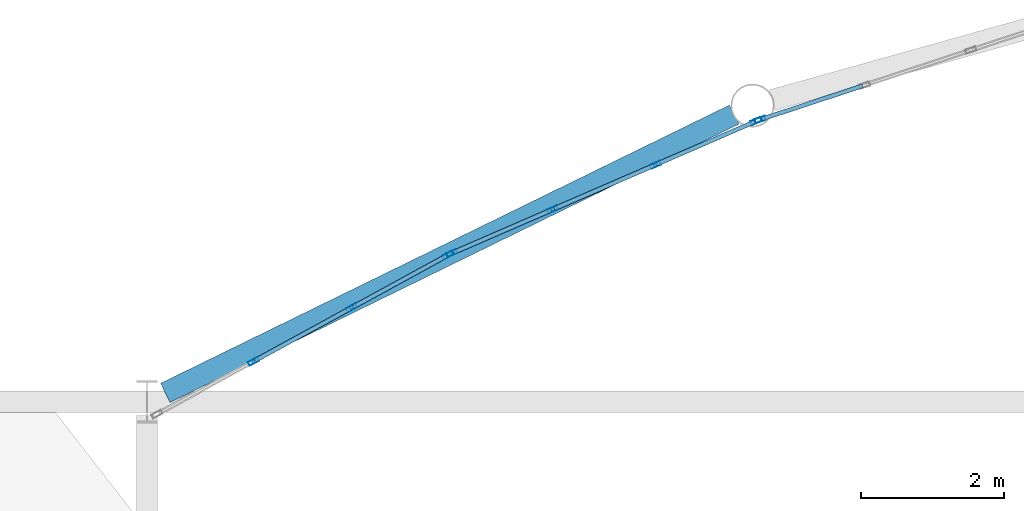
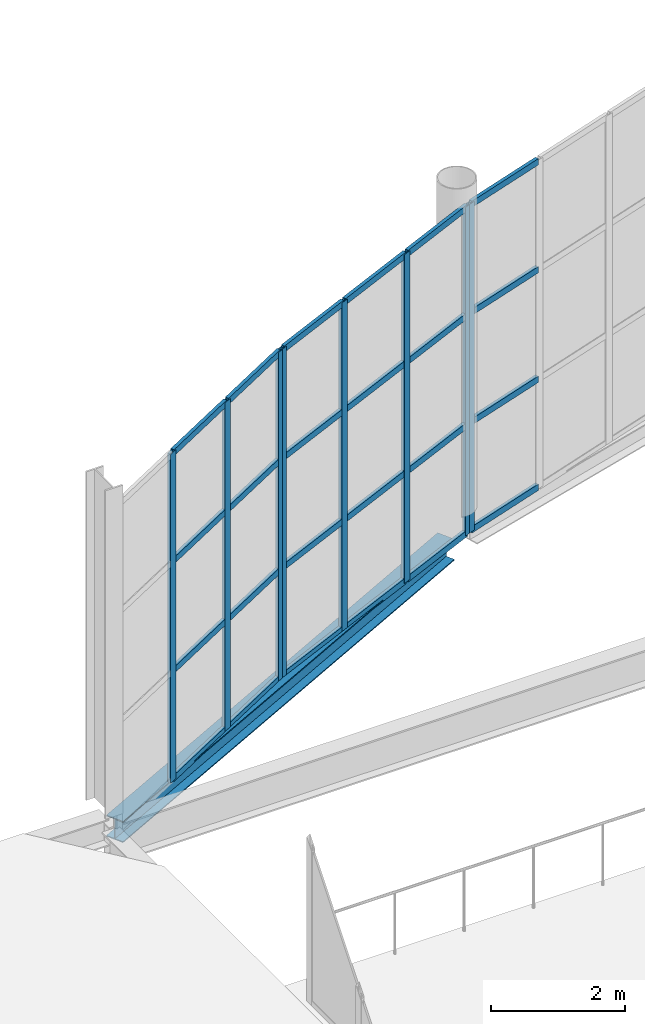
# One storey, part 100 of 191: 32 members, 1 beam, 3 elements without a shape of their own.
"""IFC4 building model written with IfcOpenShell, lengths in metres."""

from ifc_helpers import new_model, si_unit, direction, frame, origin, origin_2d, place, context, subcontext, project, spatial, hollow_rectangle, i_section, extrude, material, layer, layer_set, material_profile, profile_set, type_object, element, aggregate, save


model = new_model("IFC4")

# Units and contexts
model_context = context("Model", 3, precision=1e-05, world=origin(), true_north=direction((0.0, 1.0)))
body_context = subcontext(model_context, "Body", "Model", "MODEL_VIEW")
ifc_project = project(units=[si_unit("LENGTHUNIT", "METRE"), si_unit("AREAUNIT", "SQUARE_METRE"), si_unit("VOLUMEUNIT", "CUBIC_METRE"), si_unit("PLANEANGLEUNIT", "RADIAN"), si_unit("MASSUNIT", "GRAM", prefix="KILO")], contexts=[model_context])

# Site, building, storey
site_placement = place(None, origin())
site = spatial("IfcSite", under=ifc_project, at=site_placement, CompositionType="ELEMENT")
building_placement = place(site_placement, origin())
building = spatial("IfcBuilding", under=site, at=building_placement, Name="Tamarisk Ironworks Central Station", CompositionType="ELEMENT")
storey_placement = place(building_placement, frame((0.0, 0.0, 6.60009765625)))
storey = spatial("IfcBuildingStorey", under=building, at=storey_placement, Name="L01", CompositionType="ELEMENT", Elevation=6.60009765625)

# Beam
ifc_material_1 = material(Name="Structural steel S355J2", Category="steel")
ifc_material_profile_1 = material_profile(ifc_material_1, i_section(OverallWidth=0.300048828125, OverallDepth=0.389892578125, WebThickness=0.010986328125, FlangeThickness=0.01904296875, at=origin_2d()), Name="HEA 400")
ifc_profile_set_1 = profile_set([ifc_material_profile_1], Name="Structural steel S355J2")
beam_type = type_object("IfcBeamType", Name="BM-G07", PredefinedType="BEAM", material=ifc_profile_set_1)
beam_placement = place(storey_placement, frame((54.256103515625, 111.72509765625, -0.5751953125), z_axis=(0.898270064187, 0.439443843723, 0.0), x_axis=(-0.439443843723, 0.898270064187, 0.0)))
element("IfcBeam", 1, at=beam_placement, inside=storey, type_object=beam_type, Name="NN rounded nose L01 chord girder 025", PredefinedType="BEAM", context=body_context, shape_type="SweptSolid", body=[
    extrude(i_section(OverallWidth=0.300048828125, OverallDepth=0.389892578125, WebThickness=0.010986328125, FlangeThickness=0.01904296875, at=origin_2d()), origin(), (0.0, 0.0, 1.0), 8.880126953125),
])

# Curtain wall, members
ifc_material_2 = material(Name="Anodized aluminium alloy 6063-T6", Category="aluminium")
ifc_layer = layer(ifc_material_2, 0.179931640625)
ifc_layer_set = layer_set([ifc_layer], Name="Anodized aluminium alloy 6063-T6")
curtain_wall_type = type_object("IfcCurtainWallType", Name="CW-02", PredefinedType="USERDEFINED", material=ifc_layer_set)
curtain_wall_1_placement = place(storey_placement, origin())
curtain_wall_1 = element("IfcCurtainWall", 2, at=curtain_wall_1_placement, inside=storey, type_object=curtain_wall_type, Name="NN rounded entrance hall L01 curtain wall bay 01", ObjectType="GLAZED CURTAIN WALL", PredefinedType="USERDEFINED")
ifc_material_profile_2 = material_profile(ifc_material_2, hollow_rectangle(XDim=0.06005859375, YDim=0.14990234375, WallThickness=0.00341796875, at=origin_2d()), Name="ALUM 150x60")
ifc_profile_set_2 = profile_set([ifc_material_profile_2], Name="Anodized aluminium alloy 6063-T6")
member_type_1 = type_object("IfcMemberType", Name="CWM-03", PredefinedType="MULLION", material=ifc_profile_set_2)
member_1_placement = place(storey_placement, frame((55.4931640625, 112.166015625, -0.385009765625), z_axis=(0.0, 0.0, 1.0), x_axis=(-0.47980544644, 0.877374910495, 0.0)))
member_1 = element("IfcMember", 3, at=member_1_placement, type_object=member_type_1, Name="CW02 mullion 2", PredefinedType="MULLION", context=body_context, shape_type="SweptSolid", body=[
    extrude(hollow_rectangle(XDim=0.06005859375, YDim=0.14990234375, WallThickness=0.00341796875, at=origin_2d()), origin(), (0.0, 0.0, 1.0), 6.0048828125),
])
member_2_placement = place(storey_placement, frame((56.870361328125, 112.91943359375, -0.385009765625), z_axis=(0.0, 0.0, 1.0), x_axis=(-0.47980544644, 0.877374910495, 0.0)))
member_2 = element("IfcMember", 4, at=member_2_placement, type_object=member_type_1, Name="CW02 mullion 3", PredefinedType="MULLION", context=body_context, shape_type="SweptSolid", body=[
    extrude(hollow_rectangle(XDim=0.06005859375, YDim=0.14990234375, WallThickness=0.00341796875, at=origin_2d()), origin(), (0.0, 0.0, 1.0), 6.0048828125),
])
member_3_placement = place(storey_placement, frame((58.221435546875, 113.658203125, -0.385009765625), z_axis=(0.0, 0.0, 1.0), x_axis=(-0.47980544644, 0.877374910495, 0.0)))
member_3 = element("IfcMember", 5, at=member_3_placement, type_object=member_type_1, Name="CW02 mullion 4", PredefinedType="MULLION", context=body_context, shape_type="SweptSolid", body=[
    extrude(hollow_rectangle(XDim=0.06005859375, YDim=0.14990234375, WallThickness=0.00341796875, at=origin_2d()), origin(), (0.0, 0.0, 1.0), 6.0048828125),
])

curtain_wall_2_placement = place(storey_placement, origin())
curtain_wall_2 = element("IfcCurtainWall", 6, at=curtain_wall_2_placement, inside=storey, type_object=curtain_wall_type, Name="NN rounded entrance hall L01 curtain wall bay 02", ObjectType="GLAZED CURTAIN WALL", PredefinedType="USERDEFINED")
member_4_placement = place(storey_placement, frame((58.275390625, 113.6845703125, -0.385009765625), z_axis=(0.0, 0.0, 1.0), x_axis=(-0.398076935564, 0.917352033503, 0.0)))
member_4 = element("IfcMember", 7, at=member_4_placement, type_object=member_type_1, Name="CW02 mullion 1", PredefinedType="MULLION", context=body_context, shape_type="SweptSolid", body=[
    extrude(hollow_rectangle(XDim=0.06005859375, YDim=0.14990234375, WallThickness=0.00341796875, at=origin_2d()), origin(), (0.0, 0.0, 1.0), 6.0048828125),
])
member_5_placement = place(storey_placement, frame((59.68798828125, 114.297607421875, -0.385009765625), z_axis=(0.0, 0.0, 1.0), x_axis=(-0.398076935564, 0.917352033503, 0.0)))
member_5 = element("IfcMember", 8, at=member_5_placement, type_object=member_type_1, Name="CW02 mullion 2", PredefinedType="MULLION", context=body_context, shape_type="SweptSolid", body=[
    extrude(hollow_rectangle(XDim=0.06005859375, YDim=0.14990234375, WallThickness=0.00341796875, at=origin_2d()), origin(), (0.0, 0.0, 1.0), 6.0048828125),
])
member_6_placement = place(storey_placement, frame((61.128173828125, 114.92236328125, -0.385009765625), z_axis=(0.0, 0.0, 1.0), x_axis=(-0.398076935564, 0.917352033503, 0.0)))
member_6 = element("IfcMember", 9, at=member_6_placement, type_object=member_type_1, Name="CW02 mullion 3", PredefinedType="MULLION", context=body_context, shape_type="SweptSolid", body=[
    extrude(hollow_rectangle(XDim=0.06005859375, YDim=0.14990234375, WallThickness=0.00341796875, at=origin_2d()), origin(), (0.0, 0.0, 1.0), 6.0048828125),
])
member_7_placement = place(storey_placement, frame((62.540771484375, 115.535400390625, -0.385009765625), z_axis=(0.0, 0.0, 1.0), x_axis=(-0.398076935564, 0.917352033503, 0.0)))
member_7 = element("IfcMember", 10, at=member_7_placement, type_object=member_type_1, Name="CW02 mullion 4", PredefinedType="MULLION", context=body_context, shape_type="SweptSolid", body=[
    extrude(hollow_rectangle(XDim=0.06005859375, YDim=0.14990234375, WallThickness=0.00341796875, at=origin_2d()), origin(), (0.0, 0.0, 1.0), 6.0048828125),
])

# Curtain wall, member
curtain_wall_3_placement = place(storey_placement, origin())
curtain_wall_3 = element("IfcCurtainWall", 11, at=curtain_wall_3_placement, inside=storey, type_object=curtain_wall_type, Name="NN rounded entrance hall L01 curtain wall bay 03", ObjectType="GLAZED CURTAIN WALL", PredefinedType="USERDEFINED")
member_8_placement = place(storey_placement, frame((62.5966796875, 115.556884765625, -0.385009765625), z_axis=(0.0, 0.0, 1.0), x_axis=(-0.313098460171, 0.949720671692, 0.0)))
member_8 = element("IfcMember", 12, at=member_8_placement, type_object=member_type_1, Name="CW02 mullion 1", PredefinedType="MULLION", context=body_context, shape_type="SweptSolid", body=[
    extrude(hollow_rectangle(XDim=0.06005859375, YDim=0.14990234375, WallThickness=0.00341796875, at=origin_2d()), origin(), (0.0, 0.0, 1.0), 6.0048828125),
])

# Member
ifc_material_profile_3 = material_profile(ifc_material_2, hollow_rectangle(XDim=0.06005859375, YDim=0.114990234375, WallThickness=0.00341796875, at=origin_2d()), Name="ALUM 115x60")
ifc_profile_set_3 = profile_set([ifc_material_profile_3], Name="Anodized aluminium alloy 6063-T6")
member_type_2 = type_object("IfcMemberType", Name="CWT-03", PredefinedType="USERDEFINED", material=ifc_profile_set_3)
member_9_placement = place(storey_placement, frame((55.515869140625, 112.1787109375, -0.35498046875), z_axis=(0.877384892702, 0.479787192471, 0.0), x_axis=(-0.479787192471, 0.877384892702, 0.0)))
member_9 = element("IfcMember", 13, at=member_9_placement, type_object=member_type_2, Name="CW02 transom 2.1", ObjectType="TRANSOM", PredefinedType="USERDEFINED", context=body_context, shape_type="SweptSolid", body=[
    extrude(hollow_rectangle(XDim=0.06005859375, YDim=0.114990234375, WallThickness=0.00341796875, at=origin_2d()), origin(), (0.0, 0.0, 1.0), 1.517822265625),
])

member_10_placement = place(storey_placement, frame((55.515869140625, 112.1787109375, 1.61669921875), z_axis=(0.877384892702, 0.479787192471, 0.0), x_axis=(-0.479787192471, 0.877384892702, 0.0)))
member_10 = element("IfcMember", 14, at=member_10_placement, type_object=member_type_2, Name="CW02 transom 2.2", ObjectType="TRANSOM", PredefinedType="USERDEFINED", context=body_context, shape_type="SweptSolid", body=[
    extrude(hollow_rectangle(XDim=0.06005859375, YDim=0.114990234375, WallThickness=0.00341796875, at=origin_2d()), origin(), (0.0, 0.0, 1.0), 1.517822265625),
])

member_11_placement = place(storey_placement, frame((55.515869140625, 112.1787109375, 3.6181640625), z_axis=(0.877384892702, 0.479787192471, 0.0), x_axis=(-0.479787192471, 0.877384892702, 0.0)))
member_11 = element("IfcMember", 15, at=member_11_placement, type_object=member_type_2, Name="CW02 transom 2.3", ObjectType="TRANSOM", PredefinedType="USERDEFINED", context=body_context, shape_type="SweptSolid", body=[
    extrude(hollow_rectangle(XDim=0.06005859375, YDim=0.114990234375, WallThickness=0.00341796875, at=origin_2d()), origin(), (0.0, 0.0, 1.0), 1.517822265625),
])

member_12_placement = place(storey_placement, frame((55.515869140625, 112.1787109375, 5.58984375), z_axis=(0.877384892702, 0.479787192471, 0.0), x_axis=(-0.479787192471, 0.877384892702, 0.0)))
member_12 = element("IfcMember", 16, at=member_12_placement, type_object=member_type_2, Name="CW02 transom 2.4", ObjectType="TRANSOM", PredefinedType="USERDEFINED", context=body_context, shape_type="SweptSolid", body=[
    extrude(hollow_rectangle(XDim=0.06005859375, YDim=0.114990234375, WallThickness=0.00341796875, at=origin_2d()), origin(), (0.0, 0.0, 1.0), 1.517822265625),
])

member_13_placement = place(storey_placement, frame((56.893310546875, 112.931884765625, -0.35498046875), z_axis=(0.877380853309, 0.479794579217, 0.0), x_axis=(-0.479794579217, 0.877380853309, 0.0)))
member_13 = element("IfcMember", 17, at=member_13_placement, type_object=member_type_2, Name="CW02 transom 3.1", ObjectType="TRANSOM", PredefinedType="USERDEFINED", context=body_context, shape_type="SweptSolid", body=[
    extrude(hollow_rectangle(XDim=0.06005859375, YDim=0.114990234375, WallThickness=0.00341796875, at=origin_2d()), origin(), (0.0, 0.0, 1.0), 1.48779296875),
])

member_14_placement = place(storey_placement, frame((56.893310546875, 112.931884765625, 1.61669921875), z_axis=(0.877380853309, 0.479794579217, 0.0), x_axis=(-0.479794579217, 0.877380853309, 0.0)))
member_14 = element("IfcMember", 18, at=member_14_placement, type_object=member_type_2, Name="CW02 transom 3.2", ObjectType="TRANSOM", PredefinedType="USERDEFINED", context=body_context, shape_type="SweptSolid", body=[
    extrude(hollow_rectangle(XDim=0.06005859375, YDim=0.114990234375, WallThickness=0.00341796875, at=origin_2d()), origin(), (0.0, 0.0, 1.0), 1.48779296875),
])

member_15_placement = place(storey_placement, frame((56.893310546875, 112.931884765625, 3.6181640625), z_axis=(0.877380853309, 0.479794579217, 0.0), x_axis=(-0.479794579217, 0.877380853309, 0.0)))
member_15 = element("IfcMember", 19, at=member_15_placement, type_object=member_type_2, Name="CW02 transom 3.3", ObjectType="TRANSOM", PredefinedType="USERDEFINED", context=body_context, shape_type="SweptSolid", body=[
    extrude(hollow_rectangle(XDim=0.06005859375, YDim=0.114990234375, WallThickness=0.00341796875, at=origin_2d()), origin(), (0.0, 0.0, 1.0), 1.48779296875),
])

member_16_placement = place(storey_placement, frame((56.893310546875, 112.931884765625, 5.58984375), z_axis=(0.877380853309, 0.479794579217, 0.0), x_axis=(-0.479794579217, 0.877380853309, 0.0)))
member_16 = element("IfcMember", 20, at=member_16_placement, type_object=member_type_2, Name="CW02 transom 3.4", ObjectType="TRANSOM", PredefinedType="USERDEFINED", context=body_context, shape_type="SweptSolid", body=[
    extrude(hollow_rectangle(XDim=0.06005859375, YDim=0.114990234375, WallThickness=0.00341796875, at=origin_2d()), origin(), (0.0, 0.0, 1.0), 1.48779296875),
])

aggregate(curtain_wall_1, [member_1, member_2, member_3, member_9, member_10, member_11, member_12, member_13, member_14, member_15, member_16])

member_17_placement = place(storey_placement, frame((58.299072265625, 113.69482421875, -0.35498046875), z_axis=(0.91736196863, 0.398054039688, 0.0), x_axis=(-0.398054039688, 0.91736196863, 0.0)))
member_17 = element("IfcMember", 21, at=member_17_placement, type_object=member_type_2, Name="CW02 transom 1.1", ObjectType="TRANSOM", PredefinedType="USERDEFINED", context=body_context, shape_type="SweptSolid", body=[
    extrude(hollow_rectangle(XDim=0.06005859375, YDim=0.114990234375, WallThickness=0.00341796875, at=origin_2d()), origin(), (0.0, 0.0, 1.0), 1.488037109375),
])

member_18_placement = place(storey_placement, frame((58.299072265625, 113.69482421875, 1.61669921875), z_axis=(0.91736196863, 0.398054039688, 0.0), x_axis=(-0.398054039688, 0.91736196863, 0.0)))
member_18 = element("IfcMember", 22, at=member_18_placement, type_object=member_type_2, Name="CW02 transom 1.2", ObjectType="TRANSOM", PredefinedType="USERDEFINED", context=body_context, shape_type="SweptSolid", body=[
    extrude(hollow_rectangle(XDim=0.06005859375, YDim=0.114990234375, WallThickness=0.00341796875, at=origin_2d()), origin(), (0.0, 0.0, 1.0), 1.488037109375),
])

member_19_placement = place(storey_placement, frame((58.299072265625, 113.69482421875, 3.6181640625), z_axis=(0.91736196863, 0.398054039688, 0.0), x_axis=(-0.398054039688, 0.91736196863, 0.0)))
member_19 = element("IfcMember", 23, at=member_19_placement, type_object=member_type_2, Name="CW02 transom 1.3", ObjectType="TRANSOM", PredefinedType="USERDEFINED", context=body_context, shape_type="SweptSolid", body=[
    extrude(hollow_rectangle(XDim=0.06005859375, YDim=0.114990234375, WallThickness=0.00341796875, at=origin_2d()), origin(), (0.0, 0.0, 1.0), 1.488037109375),
])

member_20_placement = place(storey_placement, frame((58.299072265625, 113.69482421875, 5.58984375), z_axis=(0.91736196863, 0.398054039688, 0.0), x_axis=(-0.398054039688, 0.91736196863, 0.0)))
member_20 = element("IfcMember", 24, at=member_20_placement, type_object=member_type_2, Name="CW02 transom 1.4", ObjectType="TRANSOM", PredefinedType="USERDEFINED", context=body_context, shape_type="SweptSolid", body=[
    extrude(hollow_rectangle(XDim=0.06005859375, YDim=0.114990234375, WallThickness=0.00341796875, at=origin_2d()), origin(), (0.0, 0.0, 1.0), 1.488037109375),
])

member_21_placement = place(storey_placement, frame((59.711669921875, 114.307861328125, -0.35498046875), z_axis=(0.917363848838, 0.3980497065, 0.0), x_axis=(-0.3980497065, 0.917363848838, 0.0)))
member_21 = element("IfcMember", 25, at=member_21_placement, type_object=member_type_2, Name="CW02 transom 2.1", ObjectType="TRANSOM", PredefinedType="USERDEFINED", context=body_context, shape_type="SweptSolid", body=[
    extrude(hollow_rectangle(XDim=0.06005859375, YDim=0.114990234375, WallThickness=0.00341796875, at=origin_2d()), origin(), (0.0, 0.0, 1.0), 1.51806640625),
])

member_22_placement = place(storey_placement, frame((59.711669921875, 114.307861328125, 1.61669921875), z_axis=(0.917363848838, 0.3980497065, 0.0), x_axis=(-0.3980497065, 0.917363848838, 0.0)))
member_22 = element("IfcMember", 26, at=member_22_placement, type_object=member_type_2, Name="CW02 transom 2.2", ObjectType="TRANSOM", PredefinedType="USERDEFINED", context=body_context, shape_type="SweptSolid", body=[
    extrude(hollow_rectangle(XDim=0.06005859375, YDim=0.114990234375, WallThickness=0.00341796875, at=origin_2d()), origin(), (0.0, 0.0, 1.0), 1.51806640625),
])

member_23_placement = place(storey_placement, frame((59.711669921875, 114.307861328125, 3.6181640625), z_axis=(0.917363848838, 0.3980497065, 0.0), x_axis=(-0.3980497065, 0.917363848838, 0.0)))
member_23 = element("IfcMember", 27, at=member_23_placement, type_object=member_type_2, Name="CW02 transom 2.3", ObjectType="TRANSOM", PredefinedType="USERDEFINED", context=body_context, shape_type="SweptSolid", body=[
    extrude(hollow_rectangle(XDim=0.06005859375, YDim=0.114990234375, WallThickness=0.00341796875, at=origin_2d()), origin(), (0.0, 0.0, 1.0), 1.51806640625),
])

member_24_placement = place(storey_placement, frame((59.711669921875, 114.307861328125, 5.58984375), z_axis=(0.917363848838, 0.3980497065, 0.0), x_axis=(-0.3980497065, 0.917363848838, 0.0)))
member_24 = element("IfcMember", 28, at=member_24_placement, type_object=member_type_2, Name="CW02 transom 2.4", ObjectType="TRANSOM", PredefinedType="USERDEFINED", context=body_context, shape_type="SweptSolid", body=[
    extrude(hollow_rectangle(XDim=0.06005859375, YDim=0.114990234375, WallThickness=0.00341796875, at=origin_2d()), origin(), (0.0, 0.0, 1.0), 1.51806640625),
])

member_25_placement = place(storey_placement, frame((61.15185546875, 114.932861328125, -0.35498046875), z_axis=(0.91736196863, 0.398054039688, 0.0), x_axis=(-0.398054039688, 0.91736196863, 0.0)))
member_25 = element("IfcMember", 29, at=member_25_placement, type_object=member_type_2, Name="CW02 transom 3.1", ObjectType="TRANSOM", PredefinedType="USERDEFINED", context=body_context, shape_type="SweptSolid", body=[
    extrude(hollow_rectangle(XDim=0.06005859375, YDim=0.114990234375, WallThickness=0.00341796875, at=origin_2d()), origin(), (0.0, 0.0, 1.0), 1.488037109375),
])

member_26_placement = place(storey_placement, frame((61.15185546875, 114.932861328125, 1.61669921875), z_axis=(0.91736196863, 0.398054039688, 0.0), x_axis=(-0.398054039688, 0.91736196863, 0.0)))
member_26 = element("IfcMember", 30, at=member_26_placement, type_object=member_type_2, Name="CW02 transom 3.2", ObjectType="TRANSOM", PredefinedType="USERDEFINED", context=body_context, shape_type="SweptSolid", body=[
    extrude(hollow_rectangle(XDim=0.06005859375, YDim=0.114990234375, WallThickness=0.00341796875, at=origin_2d()), origin(), (0.0, 0.0, 1.0), 1.488037109375),
])

member_27_placement = place(storey_placement, frame((61.15185546875, 114.932861328125, 3.6181640625), z_axis=(0.91736196863, 0.398054039688, 0.0), x_axis=(-0.398054039688, 0.91736196863, 0.0)))
member_27 = element("IfcMember", 31, at=member_27_placement, type_object=member_type_2, Name="CW02 transom 3.3", ObjectType="TRANSOM", PredefinedType="USERDEFINED", context=body_context, shape_type="SweptSolid", body=[
    extrude(hollow_rectangle(XDim=0.06005859375, YDim=0.114990234375, WallThickness=0.00341796875, at=origin_2d()), origin(), (0.0, 0.0, 1.0), 1.488037109375),
])

member_28_placement = place(storey_placement, frame((61.15185546875, 114.932861328125, 5.58984375), z_axis=(0.91736196863, 0.398054039688, 0.0), x_axis=(-0.398054039688, 0.91736196863, 0.0)))
member_28 = element("IfcMember", 32, at=member_28_placement, type_object=member_type_2, Name="CW02 transom 3.4", ObjectType="TRANSOM", PredefinedType="USERDEFINED", context=body_context, shape_type="SweptSolid", body=[
    extrude(hollow_rectangle(XDim=0.06005859375, YDim=0.114990234375, WallThickness=0.00341796875, at=origin_2d()), origin(), (0.0, 0.0, 1.0), 1.488037109375),
])

aggregate(curtain_wall_2, [member_4, member_5, member_6, member_7, member_17, member_18, member_19, member_20, member_21, member_22, member_23, member_24, member_25, member_26, member_27, member_28])

member_29_placement = place(storey_placement, frame((62.621337890625, 115.56494140625, -0.35498046875), z_axis=(0.949728215622, 0.313075576262, 0.0), x_axis=(-0.313075576262, 0.949728215622, 0.0)))
member_29 = element("IfcMember", 33, at=member_29_placement, type_object=member_type_2, Name="CW02 transom 1.1", ObjectType="TRANSOM", PredefinedType="USERDEFINED", context=body_context, shape_type="SweptSolid", body=[
    extrude(hollow_rectangle(XDim=0.06005859375, YDim=0.114990234375, WallThickness=0.00341796875, at=origin_2d()), origin(), (0.0, 0.0, 1.0), 1.48779296875),
])

member_30_placement = place(storey_placement, frame((62.621337890625, 115.56494140625, 1.61669921875), z_axis=(0.949728215622, 0.313075576262, 0.0), x_axis=(-0.313075576262, 0.949728215622, 0.0)))
member_30 = element("IfcMember", 34, at=member_30_placement, type_object=member_type_2, Name="CW02 transom 1.2", ObjectType="TRANSOM", PredefinedType="USERDEFINED", context=body_context, shape_type="SweptSolid", body=[
    extrude(hollow_rectangle(XDim=0.06005859375, YDim=0.114990234375, WallThickness=0.00341796875, at=origin_2d()), origin(), (0.0, 0.0, 1.0), 1.48779296875),
])

member_31_placement = place(storey_placement, frame((62.621337890625, 115.56494140625, 3.6181640625), z_axis=(0.949728215622, 0.313075576262, 0.0), x_axis=(-0.313075576262, 0.949728215622, 0.0)))
member_31 = element("IfcMember", 35, at=member_31_placement, type_object=member_type_2, Name="CW02 transom 1.3", ObjectType="TRANSOM", PredefinedType="USERDEFINED", context=body_context, shape_type="SweptSolid", body=[
    extrude(hollow_rectangle(XDim=0.06005859375, YDim=0.114990234375, WallThickness=0.00341796875, at=origin_2d()), origin(), (0.0, 0.0, 1.0), 1.48779296875),
])

member_32_placement = place(storey_placement, frame((62.621337890625, 115.56494140625, 5.58984375), z_axis=(0.949728215622, 0.313075576262, 0.0), x_axis=(-0.313075576262, 0.949728215622, 0.0)))
member_32 = element("IfcMember", 36, at=member_32_placement, type_object=member_type_2, Name="CW02 transom 1.4", ObjectType="TRANSOM", PredefinedType="USERDEFINED", context=body_context, shape_type="SweptSolid", body=[
    extrude(hollow_rectangle(XDim=0.06005859375, YDim=0.114990234375, WallThickness=0.00341796875, at=origin_2d()), origin(), (0.0, 0.0, 1.0), 1.48779296875),
])

aggregate(curtain_wall_3, [member_8, member_29, member_30, member_31, member_32])

save(model, "model.ifc")
